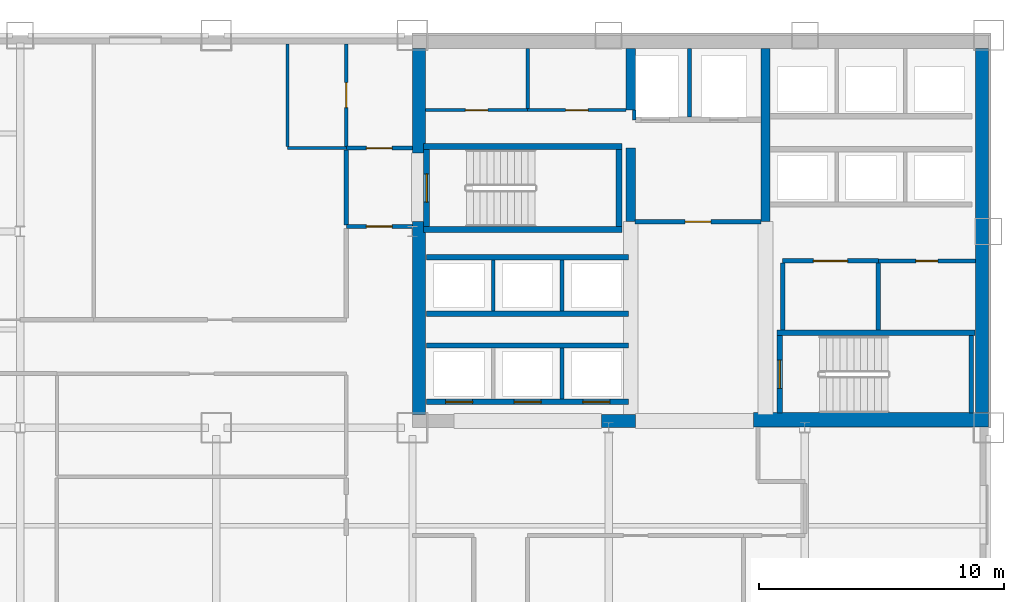
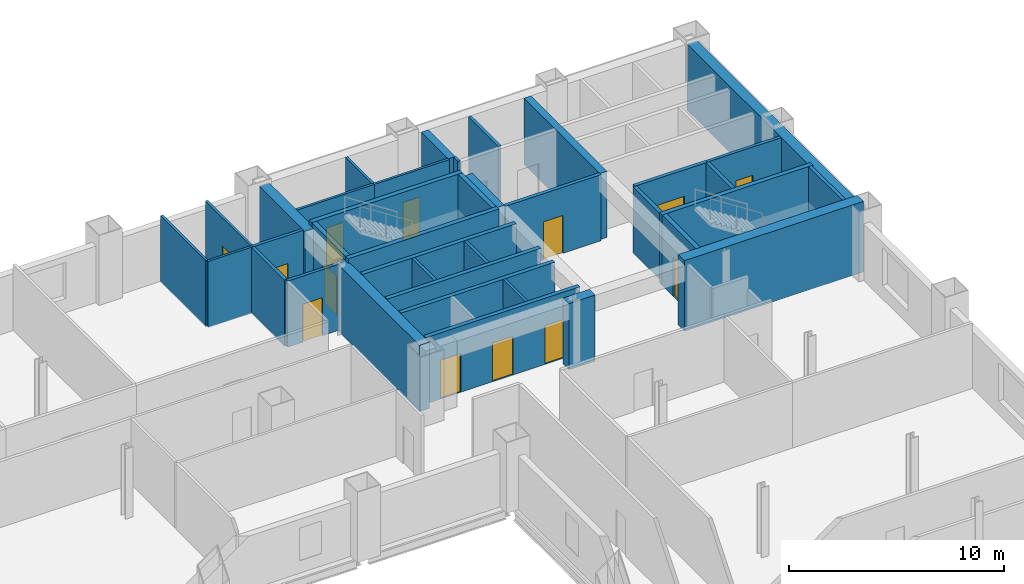
# One storey, part 6 of 9: 38 walls, 13 doors, 13 openings.
"""IFC4 building model written with IfcOpenShell, lengths in metres."""

from ifc_helpers import new_model, si_unit, direction, frame, frame_2d, origin, place, context, subcontext, project, spatial, rectangle, extrude, material, layer, layer_set, type_object, element, fill, save


model = new_model("IFC4")

# Units and contexts
model_context = context("Model", 3, precision=1e-05, world=origin(), true_north=direction((0.0, 1.0)))
body_context = subcontext(model_context, "Body", "Model", "MODEL_VIEW")
ifc_project = project(units=[si_unit("LENGTHUNIT", "METRE"), si_unit("AREAUNIT", "SQUARE_METRE"), si_unit("VOLUMEUNIT", "CUBIC_METRE"), si_unit("PLANEANGLEUNIT", "RADIAN"), si_unit("MASSUNIT", "GRAM", prefix="KILO")], contexts=[model_context])

# Site, building, storey
site_placement = place(None, origin())
site = spatial("IfcSite", under=ifc_project, at=site_placement, CompositionType="ELEMENT")
building_placement = place(site_placement, origin())
building = spatial("IfcBuilding", under=site, at=building_placement, Name="Qianrong Seaharbour Tower", CompositionType="ELEMENT")
storey_placement = place(building_placement, frame((0.0, 0.0, 84.199951171875)))
storey = spatial("IfcBuildingStorey", under=building, at=storey_placement, Name="L20", CompositionType="ELEMENT", Elevation=84.199951171875)

# Walls
ifc_material_1 = material(Name="Concrete C70/85", Category="concrete")
ifc_layer_1 = layer(ifc_material_1, 0.5400390625)
ifc_layer_set_1 = layer_set([ifc_layer_1], Name="Concrete C70/85")
wall_type_1 = type_object("IfcWallType", Name="WALL-CORE-540", PredefinedType="SHEAR", material=ifc_layer_set_1)
wall_1_placement = place(storey_placement, frame((63.72998046875, 36.320068359375, 0.0), z_axis=(0.0, 0.0, 1.0), x_axis=(0.0, 1.0, 0.0)))
element("IfcWall", 1, at=wall_1_placement, inside=storey, type_object=wall_type_1, Name="L20 East Core Shear Wall", PredefinedType="SHEAR", context=body_context, shape_type="SweptSolid", body=[
    extrude(rectangle(XDim=15.139892578125, YDim=0.5400390625, at=frame_2d((7.56982421875, 0.0))), origin(), (0.0, 0.0, 1.0), 3.75),
])
wall_2_placement = place(storey_placement, frame((40.77001953125, 36.5400390625, 0.0), z_axis=(0.0, 0.0, 1.0), x_axis=(0.0, 1.0, 0.0)))
element("IfcWall", 2, at=wall_2_placement, inside=storey, type_object=wall_type_1, Name="L20 West Core Shear Wall South", PredefinedType="SHEAR", context=body_context, shape_type="SweptSolid", body=[
    extrude(rectangle(XDim=7.85986328125, YDim=0.5400390625, at=frame_2d((3.929931640625, 0.0))), origin(), (0.0, 0.0, 1.0), 3.75),
])
wall_3_placement = place(storey_placement, frame((40.77001953125, 47.199951171875, 0.0), z_axis=(0.0, 0.0, 1.0), x_axis=(0.0, 1.0, 0.0)))
element("IfcWall", 3, at=wall_3_placement, inside=storey, type_object=wall_type_1, Name="L20 West Core Shear Wall North", PredefinedType="SHEAR", context=body_context, shape_type="SweptSolid", body=[
    extrude(rectangle(XDim=4.260009765625, YDim=0.5400390625, at=frame_2d((2.1298828125, 0.0))), origin(), (0.0, 0.0, 1.0), 3.75),
])
wall_4_placement = place(storey_placement, frame((48.199951171875, 36.27001953125, 0.0), z_axis=(0.0, 0.0, 1.0), x_axis=(1.0, 0.0, 0.0)))
element("IfcWall", 4, at=wall_4_placement, inside=storey, type_object=wall_type_1, Name="L20 South Core Shear Wall S2", PredefinedType="SHEAR", context=body_context, shape_type="SweptSolid", body=[
    extrude(rectangle(XDim=1.400146484375, YDim=0.5400390625, at=frame_2d((0.7001953125, 0.0))), origin(), (0.0, 0.0, 1.0), 3.75),
])
ifc_layer_2 = layer(ifc_material_1, 0.580078125)
ifc_layer_set_2 = layer_set([ifc_layer_2], Name="Concrete C70/85")
wall_type_2 = type_object("IfcWallType", Name="WALL-CORE-580", PredefinedType="SHEAR", material=ifc_layer_set_2)
wall_5_placement = place(storey_placement, frame((54.39990234375, 36.320068359375, 0.0), z_axis=(0.0, 0.0, 1.0), x_axis=(1.0, 0.0, 0.0)))
element("IfcWall", 5, at=wall_5_placement, inside=storey, type_object=wall_type_2, Name="L20 South Core Shear Wall S3", PredefinedType="SHEAR", context=body_context, shape_type="SweptSolid", body=[
    extrude(rectangle(XDim=9.60009765625, YDim=0.580078125, at=frame_2d((4.800048828125, 0.0))), origin(), (0.0, 0.0, 1.0), 4.0),
])
ifc_material_2 = material(Name="Concrete C60/75", Category="concrete")
ifc_layer_3 = layer(ifc_material_2, 0.3798828125)
ifc_layer_set_3 = layer_set([ifc_layer_3], Name="Concrete C60/75")
wall_type_3 = type_object("IfcWallType", Name="WALL-CORE-INT-380", PredefinedType="SHEAR", material=ifc_layer_set_3)
wall_6_placement = place(storey_placement, frame((49.39990234375, 44.39990234375, 0.0), z_axis=(0.0, 0.0, 1.0), x_axis=(0.0, 1.0, 0.0)))
element("IfcWall", 6, at=wall_6_placement, inside=storey, type_object=wall_type_3, Name="L20 Internal Core Shear Wall IW1N1", PredefinedType="SHEAR", context=body_context, shape_type="SweptSolid", body=[
    extrude(rectangle(XDim=3.0, YDim=0.3798828125, at=frame_2d((1.5, 0.0))), origin(), (0.0, 0.0, 1.0), 3.75),
])
wall_7_placement = place(storey_placement, frame((49.39990234375, 48.949951171875, 0.0), z_axis=(0.0, 0.0, 1.0), x_axis=(0.0, 1.0, 0.0)))
element("IfcWall", 7, at=wall_7_placement, inside=storey, type_object=wall_type_3, Name="L20 Internal Core Shear Wall IW1N2", PredefinedType="SHEAR", context=body_context, shape_type="SweptSolid", body=[
    extrude(rectangle(XDim=2.510009765625, YDim=0.3798828125, at=frame_2d((1.2548828125, 0.0))), origin(), (0.0, 0.0, 1.0), 3.75),
])
wall_8_placement = place(storey_placement, frame((54.89990234375, 44.39990234375, 0.0), z_axis=(0.0, 0.0, 1.0), x_axis=(0.0, 1.0, 0.0)))
element("IfcWall", 8, at=wall_8_placement, inside=storey, type_object=wall_type_3, Name="L20 Internal Core Shear Wall IW2N", PredefinedType="SHEAR", context=body_context, shape_type="SweptSolid", body=[
    extrude(rectangle(XDim=7.06005859375, YDim=0.3798828125, at=frame_2d((3.530029296875, 0.0))), origin(), (0.0, 0.0, 1.0), 3.75),
])

# Wall, opening, door
ifc_material_3 = material(Name="Fire-rated acoustic gypsum board partition")
ifc_layer_4 = layer(ifc_material_3, 0.1650390625)
ifc_layer_set_4 = layer_set([ifc_layer_4], Name="Fire-rated acoustic gypsum board partition")
wall_type_4 = type_object("IfcWallType", Name="WALL-CORR-PART-165", PredefinedType="PARTITIONING", material=ifc_layer_set_4)
wall_9_placement = place(storey_placement, frame((37.800048828125, 47.39990234375, 0.0), z_axis=(0.0, 0.0, 1.0), x_axis=(1.0, 0.0, 0.0)))
wall_9 = element("IfcWall", 9, at=wall_9_placement, inside=storey, type_object=wall_type_4, Name="L20 Interior Partition Wall 001", PredefinedType="PARTITIONING", context=body_context, shape_type="SweptSolid", body=[
    extrude(rectangle(XDim=2.699951171875, YDim=0.1650390625, at=frame_2d((1.35009765625, 0.0))), origin(), (0.0, 0.0, 1.0), 3.75),
])
opening_1_placement = place(wall_9_placement, frame((0.824951171875, 0.0, 0.0)))
opening_1 = element("IfcOpeningElement", 10, at=opening_1_placement, cuts=wall_9, Name="Opening DC-01", PredefinedType="OPENING", context=body_context, shape_type="SweptSolid", body=[
    extrude(rectangle(XDim=1.050048828125, YDim=2.14990234375, at=frame_2d((0.52490234375, 1.074951171875))), frame((0.0, 0.092529296875, 0.0), z_axis=(0.0, -1.0, 0.0), x_axis=(1.0, 0.0, 0.0)), (0.0, 0.0, 1.0), 0.18505859375),
])
ifc_material_4 = material(Name="Acoustic timber and galvanized steel fire door assembly", Category="steel")
door_type_1 = type_object("IfcDoorType", Name="DOOR-CORR-FD60-1050x2150", OperationType="NOTDEFINED", PredefinedType="DOOR", material=ifc_material_4)
door_1_placement = place(opening_1_placement, origin())
door_1 = element("IfcDoor", 11, at=door_1_placement, inside=storey, type_object=door_type_1, Name="L20 Smokeproof Stair Vestibule ST-1 Door", OperationType="SINGLE_SWING_LEFT", OverallHeight=2.14990234375, OverallWidth=1.050048828125, PredefinedType="DOOR", context=body_context, shape_type="SweptSolid", body=[
    extrude(rectangle(XDim=1.050048828125, YDim=2.14990234375, at=frame_2d((0.52490234375, 1.074951171875))), frame((0.0, 0.02490234375, 0.0), z_axis=(0.0, -1.0, 0.0), x_axis=(1.0, 0.0, 0.0)), (0.0, 0.0, 1.0), 0.050048828125),
])
fill(opening_1, door_1)

wall_10_placement = place(storey_placement, frame((40.5, 44.199951171875, 0.0), z_axis=(0.0, 0.0, 1.0), x_axis=(-1.0, 0.0, 0.0)))
wall_10 = element("IfcWall", 12, at=wall_10_placement, inside=storey, type_object=wall_type_4, Name="L20 Interior Partition Wall 002", PredefinedType="PARTITIONING", context=body_context, shape_type="SweptSolid", body=[
    extrude(rectangle(XDim=2.699951171875, YDim=0.1650390625, at=frame_2d((1.35009765625, 0.0))), origin(), (0.0, 0.0, 1.0), 3.75),
])
opening_2_placement = place(wall_10_placement, frame((0.824951171875, 0.0, 0.0)))
opening_2 = element("IfcOpeningElement", 13, at=opening_2_placement, cuts=wall_10, Name="Opening DC-01", PredefinedType="OPENING", context=body_context, shape_type="SweptSolid", body=[
    extrude(rectangle(XDim=1.050048828125, YDim=2.14990234375, at=frame_2d((0.52490234375, 1.074951171875))), frame((0.0, 0.092529296875, 0.0), z_axis=(0.0, -1.0, 0.0), x_axis=(1.0, 0.0, 0.0)), (0.0, 0.0, 1.0), 0.18505859375),
])
door_2_placement = place(opening_2_placement, origin())
door_2 = element("IfcDoor", 14, at=door_2_placement, inside=storey, type_object=door_type_1, Name="L20 Smokeproof Stair Vestibule ST-1 Door", OperationType="SINGLE_SWING_RIGHT", OverallHeight=2.14990234375, OverallWidth=1.050048828125, PredefinedType="DOOR", context=body_context, shape_type="SweptSolid", body=[
    extrude(rectangle(XDim=1.050048828125, YDim=2.14990234375, at=frame_2d((0.52490234375, 1.074951171875))), frame((0.0, 0.02490234375, 0.0), z_axis=(0.0, -1.0, 0.0), x_axis=(1.0, 0.0, 0.0)), (0.0, 0.0, 1.0), 0.050048828125),
])
fill(opening_2, door_2)

# Wall
wall_11_placement = place(storey_placement, frame((37.800048828125, 44.2744140625, 0.0), z_axis=(0.0, 0.0, 1.0), x_axis=(0.0, 1.0, 0.0)))
element("IfcWall", 15, at=wall_11_placement, inside=storey, type_object=wall_type_4, Name="L20 Interior Partition Wall 003", PredefinedType="PARTITIONING", context=body_context, shape_type="SweptSolid", body=[
    extrude(rectangle(XDim=3.051025390625, YDim=0.1650390625, at=frame_2d((1.525390625, 0.0))), origin(), (0.0, 0.0, 1.0), 3.75),
])

# Wall, opening, door
wall_12_placement = place(storey_placement, frame((63.4599609375, 42.800048828125, 0.0), z_axis=(0.0, 0.0, 1.0), x_axis=(-1.0, 0.0, 0.0)))
wall_12 = element("IfcWall", 16, at=wall_12_placement, inside=storey, type_object=wall_type_4, Name="L20 Interior Partition Wall 012", PredefinedType="PARTITIONING", context=body_context, shape_type="SweptSolid", body=[
    extrude(rectangle(XDim=3.9599609375, YDim=0.1650390625, at=frame_2d((1.97998046875, 0.0))), origin(), (0.0, 0.0, 1.0), 3.75),
])
opening_3_placement = place(wall_12_placement, frame((1.530029296875, 0.0, 0.0)))
opening_3 = element("IfcOpeningElement", 17, at=opening_3_placement, cuts=wall_12, Name="Opening DS-01", PredefinedType="OPENING", context=body_context, shape_type="SweptSolid", body=[
    extrude(rectangle(XDim=0.89990234375, YDim=2.14990234375, at=frame_2d((0.449951171875, 1.074951171875))), frame((0.0, 0.092529296875, 0.0), z_axis=(0.0, -1.0, 0.0), x_axis=(1.0, 0.0, 0.0)), (0.0, 0.0, 1.0), 0.18505859375),
])
door_type_2 = type_object("IfcDoorType", Name="DOOR-STORE-900x2150", OperationType="NOTDEFINED", PredefinedType="DOOR", material=ifc_material_4)
door_3_placement = place(opening_3_placement, origin())
door_3 = element("IfcDoor", 18, at=door_3_placement, inside=storey, type_object=door_type_2, Name="L20 Cleaner Store Room Door", OperationType="SINGLE_SWING_LEFT", OverallHeight=2.14990234375, OverallWidth=0.89990234375, PredefinedType="DOOR", context=body_context, shape_type="SweptSolid", body=[
    extrude(rectangle(XDim=0.89990234375, YDim=2.14990234375, at=frame_2d((0.449951171875, 1.074951171875))), frame((0.0, 0.02490234375, 0.0), z_axis=(0.0, -1.0, 0.0), x_axis=(1.0, 0.0, 0.0)), (0.0, 0.0, 1.0), 0.050048828125),
])
fill(opening_3, door_3)

ifc_material_5 = material(Name="Double fire-rated gypsum board acoustic partition")
ifc_layer_5 = layer(ifc_material_5, 0.18994140625)
ifc_layer_set_5 = layer_set([ifc_layer_5], Name="Double fire-rated gypsum board acoustic partition")
wall_type_5 = type_object("IfcWallType", Name="WALL-FIRE-PART-190", PredefinedType="PARTITIONING", material=ifc_layer_set_5)
wall_13_placement = place(storey_placement, frame((54.718017578125, 44.39990234375, 0.0), z_axis=(0.0, 0.0, 1.0), x_axis=(-1.0, 0.0, 0.0)))
wall_13 = element("IfcWall", 19, at=wall_13_placement, inside=storey, type_object=wall_type_5, Name="L20 Interior Partition Wall 009", PredefinedType="PARTITIONING", context=body_context, shape_type="SweptSolid", body=[
    extrude(rectangle(XDim=5.135986328125, YDim=0.18994140625, at=frame_2d((2.56787109375, 0.0))), origin(), (0.0, 0.0, 1.0), 3.75),
])
opening_4_placement = place(wall_13_placement, frame((2.04296875, 0.0, 0.0)))
opening_4 = element("IfcOpeningElement", 20, at=opening_4_placement, cuts=wall_13, Name="Opening DC-01", PredefinedType="OPENING", context=body_context, shape_type="SweptSolid", body=[
    extrude(rectangle(XDim=1.050048828125, YDim=2.14990234375, at=frame_2d((0.52490234375, 1.074951171875))), frame((0.0, 0.10498046875, 0.0), z_axis=(0.0, -1.0, 0.0), x_axis=(1.0, 0.0, 0.0)), (0.0, 0.0, 1.0), 0.2099609375),
])
door_4_placement = place(opening_4_placement, origin())
door_4 = element("IfcDoor", 21, at=door_4_placement, inside=storey, type_object=door_type_1, Name="L20 Firefighting Lift Lobby Door", OperationType="SINGLE_SWING_RIGHT", OverallHeight=2.14990234375, OverallWidth=1.050048828125, PredefinedType="DOOR", context=body_context, shape_type="SweptSolid", body=[
    extrude(rectangle(XDim=1.050048828125, YDim=2.14990234375, at=frame_2d((0.52490234375, 1.074951171875))), frame((0.0, 0.02490234375, 0.0), z_axis=(0.0, -1.0, 0.0), x_axis=(1.0, 0.0, 0.0)), (0.0, 0.0, 1.0), 0.050048828125),
])
fill(opening_4, door_4)

# Wall
wall_14_placement = place(storey_placement, frame((55.60009765625, 42.712890625, 0.0), z_axis=(0.0, 0.0, 1.0), x_axis=(0.0, -1.0, 0.0)))
element("IfcWall", 22, at=wall_14_placement, inside=storey, type_object=wall_type_5, Name="L20 Interior Partition Wall 010", PredefinedType="PARTITIONING", context=body_context, shape_type="SweptSolid", body=[
    extrude(rectangle(XDim=2.73095703125, YDim=0.18994140625, at=frame_2d((1.365478515625, 0.0))), origin(), (0.0, 0.0, 1.0), 3.75),
])

# Wall, opening, door
wall_15_placement = place(storey_placement, frame((59.5, 42.800048828125, 0.0), z_axis=(0.0, 0.0, 1.0), x_axis=(-1.0, 0.0, 0.0)))
wall_15 = element("IfcWall", 23, at=wall_15_placement, inside=storey, type_object=wall_type_5, Name="L20 Interior Partition Wall 011", PredefinedType="PARTITIONING", context=body_context, shape_type="SweptSolid", body=[
    extrude(rectangle(XDim=3.89990234375, YDim=0.18994140625, at=frame_2d((1.949951171875, 0.0))), origin(), (0.0, 0.0, 1.0), 3.75),
])
opening_5_placement = place(wall_15_placement, frame((1.25, 0.0, 0.0)))
opening_5 = element("IfcOpeningElement", 24, at=opening_5_placement, cuts=wall_15, Name="Opening DP-01", PredefinedType="OPENING", context=body_context, shape_type="SweptSolid", body=[
    extrude(rectangle(XDim=1.39990234375, YDim=2.25, at=frame_2d((0.699951171875, 1.125))), frame((0.0, 0.10498046875, 0.0), z_axis=(0.0, -1.0, 0.0), x_axis=(1.0, 0.0, 0.0)), (0.0, 0.0, 1.0), 0.2099609375),
])
door_type_3 = type_object("IfcDoorType", Name="DOOR-PLANT-PAIR-1400x2250", OperationType="DOUBLE_DOOR_SINGLE_SWING", PredefinedType="DOOR", material=ifc_material_4)
door_5_placement = place(opening_5_placement, origin())
door_5 = element("IfcDoor", 25, at=door_5_placement, inside=storey, type_object=door_type_3, Name="L20 Electrical Substation Door", OperationType="DOUBLE_DOOR_SINGLE_SWING", OverallHeight=2.25, OverallWidth=1.39990234375, PredefinedType="DOOR", context=body_context, shape_type="SweptSolid", body=[
    extrude(rectangle(XDim=1.39990234375, YDim=2.25, at=frame_2d((0.699951171875, 1.125))), frame((0.0, 0.02490234375, 0.0), z_axis=(0.0, -1.0, 0.0), x_axis=(1.0, 0.0, 0.0)), (0.0, 0.0, 1.0), 0.050048828125),
])
fill(opening_5, door_5)

# Walls
wall_16_placement = place(storey_placement, frame((59.5, 42.712890625, 0.0), z_axis=(0.0, 0.0, 1.0), x_axis=(0.0, -1.0, 0.0)))
element("IfcWall", 26, at=wall_16_placement, inside=storey, type_object=wall_type_5, Name="L20 Interior Partition Wall 014", PredefinedType="PARTITIONING", context=body_context, shape_type="SweptSolid", body=[
    extrude(rectangle(XDim=2.73095703125, YDim=0.18994140625, at=frame_2d((1.365478515625, 0.0))), origin(), (0.0, 0.0, 1.0), 3.75),
])
ifc_material_6 = material(Name="Fire-rated gypsum board on steel studs", Category="steel")
ifc_layer_6 = layer(ifc_material_6, 0.14990234375)
ifc_layer_set_6 = layer_set([ifc_layer_6], Name="Fire-rated gypsum board on steel studs")
wall_type_6 = type_object("IfcWallType", Name="WALL-SHAFT-DIV-150", PredefinedType="PARTITIONING", material=ifc_layer_set_6)
wall_17_placement = place(storey_placement, frame((51.800048828125, 48.669921875, 0.0), z_axis=(0.0, 0.0, 1.0), x_axis=(0.0, 1.0, 0.0)))
element("IfcWall", 27, at=wall_17_placement, inside=storey, type_object=wall_type_6, Name="L20 Firefighting Lift Shaft Divider Wall", PredefinedType="PARTITIONING", context=body_context, shape_type="SweptSolid", body=[
    extrude(rectangle(XDim=2.7900390625, YDim=0.14990234375, at=frame_2d((1.39501953125, 0.0))), origin(), (0.0, 0.0, 1.0), 3.75),
])
wall_18_placement = place(storey_placement, frame((49.550048828125, 48.550048828125, 0.0), z_axis=(0.0, 0.0, 1.0), x_axis=(0.0, 1.0, 0.0)))
element("IfcWall", 28, at=wall_18_placement, inside=storey, type_object=wall_type_6, Name="L20 Firefighting Lift Shaft West Return Wall", PredefinedType="PARTITIONING", context=body_context, shape_type="SweptSolid", body=[
    extrude(rectangle(XDim=0.39990234375, YDim=0.14990234375, at=frame_2d((0.199951171875, 0.0))), origin(), (0.0, 0.0, 1.0), 3.75),
])
for number, where, z_axis, x_axis, name in (
    (29, (46.60009765625, 37.159912109375, 0.0), (0.0, 0.0, 1.0), (0.0, 1.0, 0.0), "L20 P1 Lift Hoistway Divider 3"),
    (30, (43.800048828125, 40.760009765625, 0.0), (0.0, 0.0, 1.0), (0.0, 1.0, 0.0), "L20 P2 Lift Hoistway Divider 2"),
    (31, (46.60009765625, 40.760009765625, 0.0), (0.0, 0.0, 1.0), (0.0, 1.0, 0.0), "L20 P2 Lift Hoistway Divider 3"),
):
    element("IfcWall", number, at=place(storey_placement, frame(where, z_axis=z_axis, x_axis=x_axis)), inside=storey, type_object=wall_type_6, Name=name, PredefinedType="PARTITIONING", context=body_context, shape_type="SweptSolid", body=[
        extrude(rectangle(XDim=2.080078125, YDim=0.14990234375, at=frame_2d((1.0400390625, 0.0))), origin(), (0.0, 0.0, 1.0), 3.75),
    ])

# Wall, openings, doors
ifc_layer_7 = layer(ifc_material_6, 0.219970703125)
ifc_layer_set_7 = layer_set([ifc_layer_7], Name="Fire-rated gypsum board on steel studs")
wall_type_7 = type_object("IfcWallType", Name="WALL-SHAFT-GYP220", PredefinedType="PARTITIONING", material=ifc_layer_set_7)
wall_19_placement = place(storey_placement, frame((49.320068359375, 37.050048828125, 0.0), z_axis=(0.0, 0.0, 1.0), x_axis=(-1.0, 0.0, 0.0)))
wall_19 = element("IfcWall", 32, at=wall_19_placement, inside=storey, type_object=wall_type_7, Name="L20 P1 Lift Hoistway Front Wall", PredefinedType="PARTITIONING", context=body_context, shape_type="SweptSolid", body=[
    extrude(rectangle(XDim=8.239990234375, YDim=0.219970703125, at=frame_2d((4.1201171875, 0.0))), origin(), (0.0, 0.0, 1.0), 3.75),
])
opening_6_placement = place(wall_19_placement, frame((6.3701171875, 0.0, 0.0)))
opening_6 = element("IfcOpeningElement", 33, at=opening_6_placement, cuts=wall_19, Name="Opening LD-02", PredefinedType="OPENING", context=body_context, shape_type="SweptSolid", body=[
    extrude(rectangle(XDim=1.10009765625, YDim=2.199951171875, at=frame_2d((0.550048828125, 1.10009765625))), frame((0.0, 0.1201171875, 0.0), z_axis=(0.0, -1.0, 0.0), x_axis=(1.0, 0.0, 0.0)), (0.0, 0.0, 1.0), 0.239990234375),
])
opening_7_placement = place(wall_19_placement, frame((3.570068359375, 0.0, 0.0)))
opening_7 = element("IfcOpeningElement", 34, at=opening_7_placement, cuts=wall_19, Name="Opening LD-02", PredefinedType="OPENING", context=body_context, shape_type="SweptSolid", body=[
    extrude(rectangle(XDim=1.10009765625, YDim=2.199951171875, at=frame_2d((0.550048828125, 1.10009765625))), frame((0.0, 0.1201171875, 0.0), z_axis=(0.0, -1.0, 0.0), x_axis=(1.0, 0.0, 0.0)), (0.0, 0.0, 1.0), 0.239990234375),
])
opening_8_placement = place(wall_19_placement, frame((0.77001953125, 0.0, 0.0)))
opening_8 = element("IfcOpeningElement", 35, at=opening_8_placement, cuts=wall_19, Name="Opening LD-02", PredefinedType="OPENING", context=body_context, shape_type="SweptSolid", body=[
    extrude(rectangle(XDim=1.10009765625, YDim=2.199951171875, at=frame_2d((0.550048828125, 1.10009765625))), frame((0.0, 0.1201171875, 0.0), z_axis=(0.0, -1.0, 0.0), x_axis=(1.0, 0.0, 0.0)), (0.0, 0.0, 1.0), 0.239990234375),
])
ifc_material_7 = material(Name="Stainless steel SUS316L bi-parting lift landing door", Category="steel")
door_type_4 = type_object("IfcDoorType", Name="DOOR-LIFT-PASS-1100x2200", OperationType="DOUBLE_DOOR_SLIDING", PredefinedType="DOOR", material=ifc_material_7)
door_6_placement = place(opening_6_placement, origin())
door_6 = element("IfcDoor", 36, at=door_6_placement, inside=storey, type_object=door_type_4, Name="L20 PL-1A Lift Landing Door", OperationType="DOUBLE_DOOR_SLIDING", OverallHeight=2.199951171875, OverallWidth=1.10009765625, PredefinedType="DOOR", context=body_context, shape_type="SweptSolid", body=[
    extrude(rectangle(XDim=1.10009765625, YDim=2.199951171875, at=frame_2d((0.550048828125, 1.10009765625))), frame((0.0, 0.02490234375, 0.0), z_axis=(0.0, -1.0, 0.0), x_axis=(1.0, 0.0, 0.0)), (0.0, 0.0, 1.0), 0.050048828125),
])
fill(opening_6, door_6)
door_7_placement = place(opening_7_placement, origin())
door_7 = element("IfcDoor", 37, at=door_7_placement, inside=storey, type_object=door_type_4, Name="L20 PL-1B Lift Landing Door", OperationType="DOUBLE_DOOR_SLIDING", OverallHeight=2.199951171875, OverallWidth=1.10009765625, PredefinedType="DOOR", context=body_context, shape_type="SweptSolid", body=[
    extrude(rectangle(XDim=1.10009765625, YDim=2.199951171875, at=frame_2d((0.550048828125, 1.10009765625))), frame((0.0, 0.02490234375, 0.0), z_axis=(0.0, -1.0, 0.0), x_axis=(1.0, 0.0, 0.0)), (0.0, 0.0, 1.0), 0.050048828125),
])
fill(opening_7, door_7)
door_8_placement = place(opening_8_placement, origin())
door_8 = element("IfcDoor", 38, at=door_8_placement, inside=storey, type_object=door_type_4, Name="L20 PL-1C Lift Landing Door", OperationType="DOUBLE_DOOR_SLIDING", OverallHeight=2.199951171875, OverallWidth=1.10009765625, PredefinedType="DOOR", context=body_context, shape_type="SweptSolid", body=[
    extrude(rectangle(XDim=1.10009765625, YDim=2.199951171875, at=frame_2d((0.550048828125, 1.10009765625))), frame((0.0, 0.02490234375, 0.0), z_axis=(0.0, -1.0, 0.0), x_axis=(1.0, 0.0, 0.0)), (0.0, 0.0, 1.0), 0.050048828125),
])
fill(opening_8, door_8)

# Walls
for number, where, z_axis, x_axis, name in (
    (39, (41.080078125, 39.35009765625, 0.0), (0.0, 0.0, 1.0), (1.0, 0.0, 0.0), "L20 P1 Lift Hoistway Back Wall"),
    (40, (49.320068359375, 40.64990234375, 0.0), (0.0, 0.0, 1.0), (-1.0, 0.0, 0.0), "L20 P2 Lift Hoistway Front Wall"),
    (41, (41.080078125, 42.949951171875, 0.0), (0.0, 0.0, 1.0), (1.0, 0.0, 0.0), "L20 P2 Lift Hoistway Back Wall"),
):
    element("IfcWall", number, at=place(storey_placement, frame(where, z_axis=z_axis, x_axis=x_axis)), inside=storey, type_object=wall_type_7, Name=name, PredefinedType="PARTITIONING", context=body_context, shape_type="SweptSolid", body=[
        extrude(rectangle(XDim=8.239990234375, YDim=0.219970703125, at=frame_2d((4.1201171875, 0.0))), origin(), (0.0, 0.0, 1.0), 3.75),
    ])
ifc_material_8 = material(Name="Concrete C50/60", Category="concrete")
ifc_layer_8 = layer(ifc_material_8, 0.239990234375)
ifc_layer_set_8 = layer_set([ifc_layer_8], Name="Concrete C50/60")
wall_type_8 = type_object("IfcWallType", Name="WALL-SHAFT-RC240", PredefinedType="SOLIDWALL", material=ifc_layer_set_8)
for number, where, z_axis, x_axis, name in (
    (42, (40.9599609375, 47.469970703125, 0.0), (0.0, 0.0, 1.0), (1.0, 0.0, 0.0), "L20 ST-1 Structural Stair Core Wall N"),
    (43, (49.0400390625, 44.080078125, 0.0), (0.0, 0.0, 1.0), (-1.0, 0.0, 0.0), "L20 ST-1 Structural Stair Core Wall S"),
):
    element("IfcWall", number, at=place(storey_placement, frame(where, z_axis=z_axis, x_axis=x_axis)), inside=storey, type_object=wall_type_8, Name=name, PredefinedType="SOLIDWALL", context=body_context, shape_type="SweptSolid", body=[
        extrude(rectangle(XDim=8.080078125, YDim=0.239990234375, at=frame_2d((4.0400390625, 0.0))), origin(), (0.0, 0.0, 1.0), 4.0),
    ])

# Wall, opening, door
wall_20_placement = place(storey_placement, frame((41.080078125, 47.35009765625, 0.0), z_axis=(0.0, 0.0, 1.0), x_axis=(0.0, -1.0, 0.0)))
wall_20 = element("IfcWall", 44, at=wall_20_placement, inside=storey, type_object=wall_type_8, Name="L20 ST-1 Structural Stair Core Wall W", PredefinedType="SOLIDWALL", context=body_context, shape_type="SweptSolid", body=[
    extrude(rectangle(XDim=3.150146484375, YDim=0.239990234375, at=frame_2d((1.5751953125, 0.0))), origin(), (0.0, 0.0, 1.0), 4.0),
])
opening_9_placement = place(wall_20_placement, frame((1.0, 0.0, 0.0)))
opening_9 = element("IfcOpeningElement", 45, at=opening_9_placement, cuts=wall_20, Name="Opening SD-01", PredefinedType="OPENING", context=body_context, shape_type="SweptSolid", body=[
    extrude(rectangle(XDim=1.14990234375, YDim=2.199951171875, at=frame_2d((0.574951171875, 1.10009765625))), frame((0.0, 0.1298828125, 0.0), z_axis=(0.0, -1.0, 0.0), x_axis=(1.0, 0.0, 0.0)), (0.0, 0.0, 1.0), 0.260009765625),
])
door_type_5 = type_object("IfcDoorType", Name="DOOR-STAIR-FD60-1150x2200", OperationType="NOTDEFINED", PredefinedType="DOOR", material=ifc_material_4)
door_9_placement = place(opening_9_placement, origin())
door_9 = element("IfcDoor", 46, at=door_9_placement, inside=storey, type_object=door_type_5, Name="L20 ST-1 Protected Stair Door", OperationType="SINGLE_SWING_LEFT", OverallHeight=2.199951171875, OverallWidth=1.14990234375, PredefinedType="DOOR", context=body_context, shape_type="SweptSolid", body=[
    extrude(rectangle(XDim=1.14990234375, YDim=2.199951171875, at=frame_2d((0.574951171875, 1.10009765625))), frame((0.0, 0.02490234375, 0.0), z_axis=(0.0, -1.0, 0.0), x_axis=(1.0, 0.0, 0.0)), (0.0, 0.0, 1.0), 0.050048828125),
])
fill(opening_9, door_9)

# Walls
wall_21_placement = place(storey_placement, frame((48.919921875, 44.199951171875, 0.0), z_axis=(0.0, 0.0, 1.0), x_axis=(0.0, 1.0, 0.0)))
element("IfcWall", 47, at=wall_21_placement, inside=storey, type_object=wall_type_8, Name="L20 ST-1 Structural Stair Core Wall E", PredefinedType="SOLIDWALL", context=body_context, shape_type="SweptSolid", body=[
    extrude(rectangle(XDim=3.150146484375, YDim=0.239990234375, at=frame_2d((1.5751953125, 0.0))), origin(), (0.0, 0.0, 1.0), 4.0),
])
wall_22_placement = place(storey_placement, frame((55.360107421875, 39.8701171875, 0.0), z_axis=(0.0, 0.0, 1.0), x_axis=(1.0, 0.0, 0.0)))
element("IfcWall", 48, at=wall_22_placement, inside=storey, type_object=wall_type_8, Name="L20 ST-2 Structural Stair Core Wall N", PredefinedType="SOLIDWALL", context=body_context, shape_type="SweptSolid", body=[
    extrude(rectangle(XDim=8.079833984375, YDim=0.239990234375, at=frame_2d((4.0400390625, 0.0))), origin(), (0.0, 0.0, 1.0), 4.0),
])

# Wall, opening, door
wall_23_placement = place(storey_placement, frame((55.47998046875, 39.75, 0.0), z_axis=(0.0, 0.0, 1.0), x_axis=(0.0, -1.0, 0.0)))
wall_23 = element("IfcWall", 49, at=wall_23_placement, inside=storey, type_object=wall_type_8, Name="L20 ST-2 Structural Stair Core Wall W", PredefinedType="SOLIDWALL", context=body_context, shape_type="SweptSolid", body=[
    extrude(rectangle(XDim=3.14990234375, YDim=0.239990234375, at=frame_2d((1.574951171875, 0.0))), origin(), (0.0, 0.0, 1.0), 4.0),
])
opening_10_placement = place(wall_23_placement, frame((1.0, 0.0, 0.0)))
opening_10 = element("IfcOpeningElement", 50, at=opening_10_placement, cuts=wall_23, Name="Opening SD-01", PredefinedType="OPENING", context=body_context, shape_type="SweptSolid", body=[
    extrude(rectangle(XDim=1.14990234375, YDim=2.199951171875, at=frame_2d((0.574951171875, 1.10009765625))), frame((0.0, 0.1298828125, 0.0), z_axis=(0.0, -1.0, 0.0), x_axis=(1.0, 0.0, 0.0)), (0.0, 0.0, 1.0), 0.260009765625),
])
door_10_placement = place(opening_10_placement, origin())
door_10 = element("IfcDoor", 51, at=door_10_placement, inside=storey, type_object=door_type_5, Name="L20 ST-2 Protected Stair Door", OperationType="SINGLE_SWING_LEFT", OverallHeight=2.199951171875, OverallWidth=1.14990234375, PredefinedType="DOOR", context=body_context, shape_type="SweptSolid", body=[
    extrude(rectangle(XDim=1.14990234375, YDim=2.199951171875, at=frame_2d((0.574951171875, 1.10009765625))), frame((0.0, 0.02490234375, 0.0), z_axis=(0.0, -1.0, 0.0), x_axis=(1.0, 0.0, 0.0)), (0.0, 0.0, 1.0), 0.050048828125),
])
fill(opening_10, door_10)

# Wall
wall_24_placement = place(storey_placement, frame((63.2900390625, 36.60009765625, 0.0), z_axis=(0.0, 0.0, 1.0), x_axis=(0.0, 1.0, 0.0)))
element("IfcWall", 52, at=wall_24_placement, inside=storey, type_object=wall_type_8, Name="L20 ST-2 Structural Stair Core Wall E", PredefinedType="SOLIDWALL", context=body_context, shape_type="SweptSolid", body=[
    extrude(rectangle(XDim=3.14990234375, YDim=0.179931640625, at=frame_2d((1.574951171875, 0.0))), origin(), (0.0, 0.0, 1.0), 4.0),
])

# Wall, opening, door
ifc_material_9 = material(Name="Water-resistant cement board sanitary partition")
ifc_layer_9 = layer(ifc_material_9, 0.1298828125)
ifc_layer_set_9 = layer_set([ifc_layer_9], Name="Water-resistant cement board sanitary partition")
wall_type_9 = type_object("IfcWallType", Name="WALL-WET-PART-130", PredefinedType="PARTITIONING", material=ifc_layer_set_9)
wall_25_placement = place(storey_placement, frame((37.800048828125, 47.474609375, 0.0), z_axis=(0.0, 0.0, 1.0), x_axis=(0.0, 1.0, 0.0)))
wall_25 = element("IfcWall", 53, at=wall_25_placement, inside=storey, type_object=wall_type_9, Name="L20 Interior Partition Wall 004", PredefinedType="PARTITIONING", context=body_context, shape_type="SweptSolid", body=[
    extrude(rectangle(XDim=4.17333984375, YDim=0.1298828125, at=frame_2d((2.086669921875, 0.0))), origin(), (0.0, 0.0, 1.0), 3.75),
])
opening_11_placement = place(wall_25_placement, frame((1.57666015625, 0.0, 0.0)))
opening_11 = element("IfcOpeningElement", 54, at=opening_11_placement, cuts=wall_25, Name="Opening DAW-01", PredefinedType="OPENING", context=body_context, shape_type="SweptSolid", body=[
    extrude(rectangle(XDim=1.02001953125, YDim=2.14990234375, at=frame_2d((0.510009765625, 1.074951171875))), frame((0.0, 0.074951171875, 0.0), z_axis=(0.0, -1.0, 0.0), x_axis=(1.0, 0.0, 0.0)), (0.0, 0.0, 1.0), 0.14990234375),
])
door_type_6 = type_object("IfcDoorType", Name="DOOR-AWC-SLIDE-1020x2150", OperationType="SLIDING_TO_LEFT", PredefinedType="DOOR", material=ifc_material_4)
door_11_placement = place(opening_11_placement, origin())
door_11 = element("IfcDoor", 55, at=door_11_placement, inside=storey, type_object=door_type_6, Name="L20 Accessible Restroom WC Door", OperationType="SLIDING_TO_LEFT", OverallHeight=2.14990234375, OverallWidth=1.02001953125, PredefinedType="DOOR", context=body_context, shape_type="SweptSolid", body=[
    extrude(rectangle(XDim=1.02001953125, YDim=2.14990234375, at=frame_2d((0.510009765625, 1.074951171875))), frame((0.0, 0.02490234375, 0.0), z_axis=(0.0, -1.0, 0.0), x_axis=(1.0, 0.0, 0.0)), (0.0, 0.0, 1.0), 0.050048828125),
])
fill(opening_11, door_11)

# Walls
wall_26_placement = place(storey_placement, frame((37.800048828125, 47.39990234375, 0.0), z_axis=(0.0, 0.0, 1.0), x_axis=(-1.0, 0.0, 0.0)))
element("IfcWall", 56, at=wall_26_placement, inside=storey, type_object=wall_type_9, Name="L20 Interior Partition Wall 005", PredefinedType="PARTITIONING", context=body_context, shape_type="SweptSolid", body=[
    extrude(rectangle(XDim=2.400146484375, YDim=0.1298828125, at=frame_2d((1.2001953125, 0.0))), origin(), (0.0, 0.0, 1.0), 3.75),
])
wall_27_placement = place(storey_placement, frame((35.39990234375, 47.45703125, 0.0), z_axis=(0.0, 0.0, 1.0), x_axis=(0.0, 1.0, 0.0)))
element("IfcWall", 57, at=wall_27_placement, inside=storey, type_object=wall_type_9, Name="L20 Interior Partition Wall 006", PredefinedType="PARTITIONING", context=body_context, shape_type="SweptSolid", body=[
    extrude(rectangle(XDim=4.19091796875, YDim=0.1298828125, at=frame_2d((2.095458984375, 0.0))), origin(), (0.0, 0.0, 1.0), 3.75),
])

# Wall, opening, door
wall_28_placement = place(storey_placement, frame((41.0400390625, 48.949951171875, 0.0), z_axis=(0.0, 0.0, 1.0), x_axis=(1.0, 0.0, 0.0)))
wall_28 = element("IfcWall", 58, at=wall_28_placement, inside=storey, type_object=wall_type_9, Name="L20 Interior Partition Wall 007", PredefinedType="PARTITIONING", context=body_context, shape_type="SweptSolid", body=[
    extrude(rectangle(XDim=4.159912109375, YDim=0.1298828125, at=frame_2d((2.080078125, 0.0))), origin(), (0.0, 0.0, 1.0), 3.75),
])
opening_12_placement = place(wall_28_placement, frame((1.6201171875, 0.0, 0.0)))
opening_12 = element("IfcOpeningElement", 59, at=opening_12_placement, cuts=wall_28, Name="Opening DW-01", PredefinedType="OPENING", context=body_context, shape_type="SweptSolid", body=[
    extrude(rectangle(XDim=0.919921875, YDim=2.14990234375, at=frame_2d((0.4599609375, 1.074951171875))), frame((0.0, 0.074951171875, 0.0), z_axis=(0.0, -1.0, 0.0), x_axis=(1.0, 0.0, 0.0)), (0.0, 0.0, 1.0), 0.14990234375),
])
door_type_7 = type_object("IfcDoorType", Name="DOOR-WC-920x2150", OperationType="NOTDEFINED", PredefinedType="DOOR", material=ifc_material_4)
door_12_placement = place(opening_12_placement, origin())
door_12 = element("IfcDoor", 60, at=door_12_placement, inside=storey, type_object=door_type_7, Name="L20 Male Restroom WC Door", OperationType="SINGLE_SWING_LEFT", OverallHeight=2.14990234375, OverallWidth=0.919921875, PredefinedType="DOOR", context=body_context, shape_type="SweptSolid", body=[
    extrude(rectangle(XDim=0.919921875, YDim=2.14990234375, at=frame_2d((0.4599609375, 1.074951171875))), frame((0.0, 0.02490234375, 0.0), z_axis=(0.0, -1.0, 0.0), x_axis=(1.0, 0.0, 0.0)), (0.0, 0.0, 1.0), 0.050048828125),
])
fill(opening_12, door_12)

wall_29_placement = place(storey_placement, frame((45.199951171875, 48.949951171875, 0.0), z_axis=(0.0, 0.0, 1.0), x_axis=(1.0, 0.0, 0.0)))
wall_29 = element("IfcWall", 61, at=wall_29_placement, inside=storey, type_object=wall_type_9, Name="L20 Interior Partition Wall 008", PredefinedType="PARTITIONING", context=body_context, shape_type="SweptSolid", body=[
    extrude(rectangle(XDim=4.01806640625, YDim=0.1298828125, at=frame_2d((2.009033203125, 0.0))), origin(), (0.0, 0.0, 1.0), 3.75),
])
opening_13_placement = place(wall_29_placement, frame((1.549072265625, 0.0, 0.0)))
opening_13 = element("IfcOpeningElement", 62, at=opening_13_placement, cuts=wall_29, Name="Opening DW-01", PredefinedType="OPENING", context=body_context, shape_type="SweptSolid", body=[
    extrude(rectangle(XDim=0.919921875, YDim=2.14990234375, at=frame_2d((0.4599609375, 1.074951171875))), frame((0.0, 0.074951171875, 0.0), z_axis=(0.0, -1.0, 0.0), x_axis=(1.0, 0.0, 0.0)), (0.0, 0.0, 1.0), 0.14990234375),
])
door_13_placement = place(opening_13_placement, origin())
door_13 = element("IfcDoor", 63, at=door_13_placement, inside=storey, type_object=door_type_7, Name="L20 Female Restroom WC Door", OperationType="SINGLE_SWING_RIGHT", OverallHeight=2.14990234375, OverallWidth=0.919921875, PredefinedType="DOOR", context=body_context, shape_type="SweptSolid", body=[
    extrude(rectangle(XDim=0.919921875, YDim=2.14990234375, at=frame_2d((0.4599609375, 1.074951171875))), frame((0.0, 0.02490234375, 0.0), z_axis=(0.0, -1.0, 0.0), x_axis=(1.0, 0.0, 0.0)), (0.0, 0.0, 1.0), 0.050048828125),
])
fill(opening_13, door_13)

# Wall
wall_30_placement = place(storey_placement, frame((45.199951171875, 51.4599609375, 0.0), z_axis=(0.0, 0.0, 1.0), x_axis=(0.0, -1.0, 0.0)))
element("IfcWall", 64, at=wall_30_placement, inside=storey, type_object=wall_type_9, Name="L20 Interior Partition Wall 013", PredefinedType="PARTITIONING", context=body_context, shape_type="SweptSolid", body=[
    extrude(rectangle(XDim=2.452880859375, YDim=0.1298828125, at=frame_2d((1.2265625, 0.0))), origin(), (0.0, 0.0, 1.0), 3.75),
])

save(model, "model.ifc")
